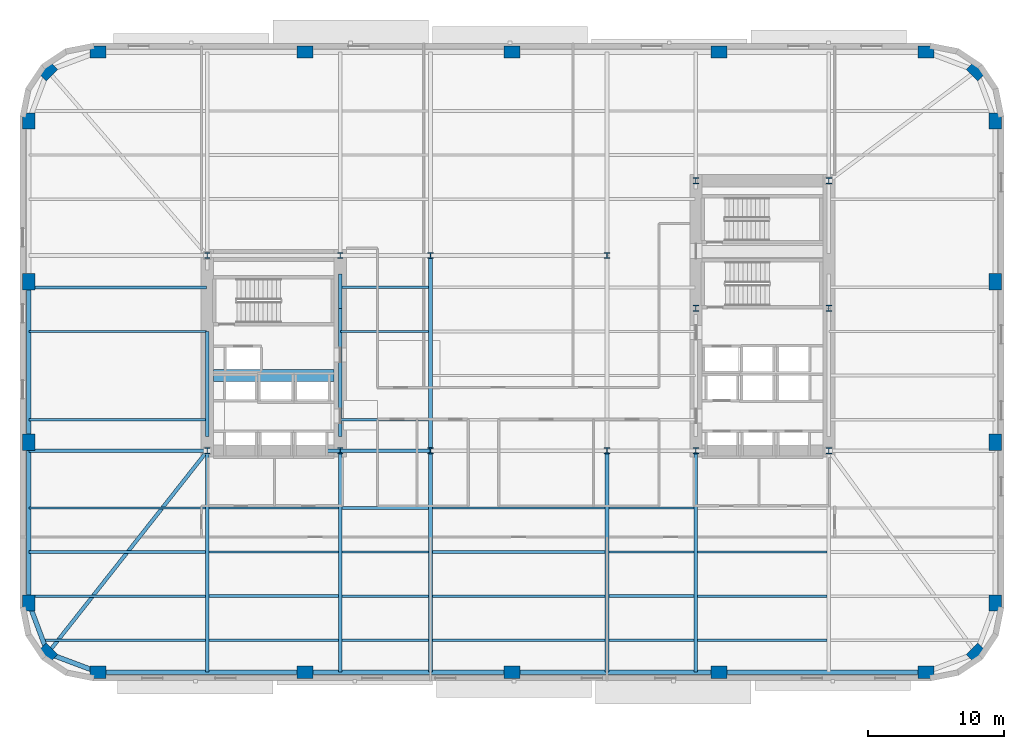
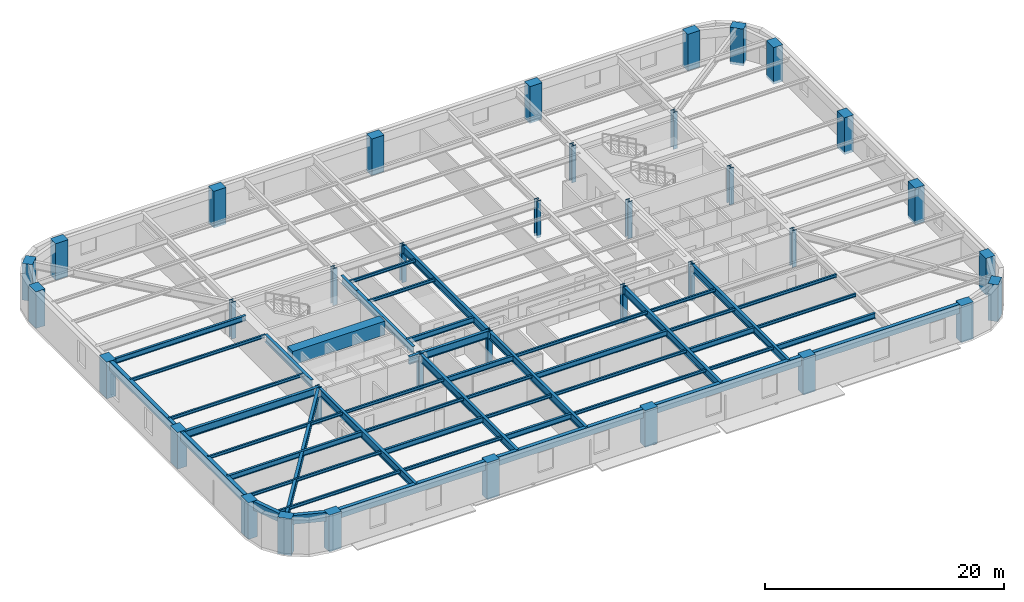
# One storey, part 1 of 14: 50 beams, 36 columns.
"""IFC4 building model written with IfcOpenShell, lengths in metres."""

from ifc_helpers import new_model, si_unit, direction, frame, origin, origin_2d, place, context, subcontext, project, spatial, rectangle, hollow_rectangle, i_section, extrude, material, material_profile, profile_set, type_object, element, save


model = new_model("IFC4")

# Units and contexts
model_context = context("Model", 3, precision=1e-05, world=origin(), true_north=direction((0.0, 1.0)))
body_context = subcontext(model_context, "Body", "Model", "MODEL_VIEW")
ifc_project = project(units=[si_unit("LENGTHUNIT", "METRE"), si_unit("AREAUNIT", "SQUARE_METRE"), si_unit("VOLUMEUNIT", "CUBIC_METRE"), si_unit("PLANEANGLEUNIT", "RADIAN"), si_unit("MASSUNIT", "GRAM", prefix="KILO")], contexts=[model_context])

# Site, building, storey
site_placement = place(None, origin())
site = spatial("IfcSite", under=ifc_project, at=site_placement, CompositionType="ELEMENT")
building_placement = place(site_placement, origin())
building = spatial("IfcBuilding", under=site, at=building_placement, Name="Kolvaren Arena Tower", CompositionType="ELEMENT")
storey_placement = place(building_placement, frame((0.0, 0.0, 79.5)))
storey = spatial("IfcBuildingStorey", under=building, at=storey_placement, Name="L17", CompositionType="ELEMENT", Elevation=79.5)

# Columns
ifc_material_1 = material(Name="Precast concrete C70/85", Category="concrete")
ifc_material_profile_1 = material_profile(ifc_material_1, rectangle(XDim=1.199951171875, YDim=0.89990234375, at=origin_2d()), Name="RC-1200x900")
ifc_profile_set_1 = profile_set([ifc_material_profile_1], Name="Precast concrete C70/85")
column_type_1 = type_object("IfcColumnType", Name="EXCOL-Z1", PredefinedType="COLUMN", material=ifc_profile_set_1)
for number, where, z_axis, x_axis, name in (
    (1, (6.5, 3.14990234375, -0.27001953125), (0.0, 0.0, 1.0), (1.0, 0.0, 0.0), "Exoskeleton Perimeter Column 01 (L17)"),
    (2, (21.75, 3.14990234375, -0.27001953125), (0.0, 0.0, 1.0), (1.0, 0.0, 0.0), "Exoskeleton Perimeter Column 02 (L17)"),
    (3, (37.0, 3.14990234375, -0.27001953125), (0.0, 0.0, 1.0), (1.0, 0.0, 0.0), "Exoskeleton Perimeter Column 03 (L17)"),
    (4, (52.25, 3.14990234375, -0.27001953125), (0.0, 0.0, 1.0), (1.0, 0.0, 0.0), "Exoskeleton Perimeter Column 04 (L17)"),
    (5, (67.5, 3.14990234375, -0.27001953125), (0.0, 0.0, 1.0), (1.0, 0.0, 0.0), "Exoskeleton Perimeter Column 05 (L17)"),
    (6, (71.208740234375, 4.541259765625, -0.27001953125), (0.0, 0.0, 1.0), (0.707106781187, 0.707106781187, 0.0), "Exoskeleton Perimeter Column 06 (L17)"),
    (7, (72.60009765625, 8.25, -0.27001953125), (0.0, 0.0, 1.0), (0.0, 1.0, 0.0), "Exoskeleton Perimeter Column 07 (L17)"),
    (8, (72.60009765625, 20.083251953125, -0.27001953125), (0.0, 0.0, 1.0), (0.0, 1.0, 0.0), "Exoskeleton Perimeter Column 08 (L17)"),
    (9, (72.60009765625, 31.916748046875, -0.27001953125), (0.0, 0.0, 1.0), (0.0, 1.0, 0.0), "Exoskeleton Perimeter Column 09 (L17)"),
    (10, (72.60009765625, 43.75, -0.27001953125), (0.0, 0.0, 1.0), (0.0, 1.0, 0.0), "Exoskeleton Perimeter Column 10 (L17)"),
    (11, (71.208740234375, 47.458740234375, -0.27001953125), (0.0, 0.0, 1.0), (-0.707106781187, 0.707106781187, 0.0), "Exoskeleton Perimeter Column 11 (L17)"),
    (12, (67.5, 48.85009765625, -0.27001953125), (0.0, 0.0, 1.0), (1.0, 0.0, 0.0), "Exoskeleton Perimeter Column 12 (L17)"),
    (13, (52.25, 48.85009765625, -0.27001953125), (0.0, 0.0, 1.0), (1.0, 0.0, 0.0), "Exoskeleton Perimeter Column 13 (L17)"),
    (14, (37.0, 48.85009765625, -0.27001953125), (0.0, 0.0, 1.0), (1.0, 0.0, 0.0), "Exoskeleton Perimeter Column 14 (L17)"),
    (15, (21.75, 48.85009765625, -0.27001953125), (0.0, 0.0, 1.0), (1.0, 0.0, 0.0), "Exoskeleton Perimeter Column 15 (L17)"),
    (16, (6.5, 48.85009765625, -0.27001953125), (0.0, 0.0, 1.0), (1.0, 0.0, 0.0), "Exoskeleton Perimeter Column 16 (L17)"),
    (17, (2.791259765625, 47.458740234375, -0.27001953125), (0.0, 0.0, 1.0), (0.707106781187, 0.707106781187, 0.0), "Exoskeleton Perimeter Column 17 (L17)"),
    (18, (1.39990234375, 43.75, -0.27001953125), (0.0, 0.0, 1.0), (0.0, 1.0, 0.0), "Exoskeleton Perimeter Column 18 (L17)"),
    (19, (1.39990234375, 31.916748046875, -0.27001953125), (0.0, 0.0, 1.0), (0.0, 1.0, 0.0), "Exoskeleton Perimeter Column 19 (L17)"),
    (20, (1.39990234375, 20.083251953125, -0.27001953125), (0.0, 0.0, 1.0), (0.0, 1.0, 0.0), "Exoskeleton Perimeter Column 20 (L17)"),
    (21, (1.39990234375, 8.25, -0.27001953125), (0.0, 0.0, 1.0), (0.0, 1.0, 0.0), "Exoskeleton Perimeter Column 21 (L17)"),
    (22, (2.791259765625, 4.541259765625, -0.27001953125), (0.0, 0.0, 1.0), (-0.707106781187, 0.707106781187, 0.0), "Exoskeleton Perimeter Column 22 (L17)"),
):
    element("IfcColumn", number, at=place(storey_placement, frame(where, z_axis=z_axis, x_axis=x_axis)), inside=storey, type_object=column_type_1, Name=name, PredefinedType="COLUMN", context=body_context, shape_type="SweptSolid", body=[
        extrude(rectangle(XDim=1.199951171875, YDim=0.89990234375, at=origin_2d()), origin(), (0.0, 0.0, 1.0), 3.75),
    ])
ifc_material_2 = material(Name="Steel ASTM A913 Grade 65", Category="steel")
ifc_material_profile_2 = material_profile(ifc_material_2, i_section(OverallWidth=0.424072265625, OverallDepth=0.47412109375, WebThickness=0.047607421875, FlangeThickness=0.076904296875, FilletRadius=0.02001953125, at=origin_2d()), Name="W360x634")
ifc_profile_set_2 = profile_set([ifc_material_profile_2], Name="Steel ASTM A913 Grade 65")
column_type_2 = type_object("IfcColumnType", Name="SCOL-Z1", PredefinedType="COLUMN", material=ifc_profile_set_2)
for number, where, z_axis, x_axis, name in (
    (23, (14.550048828125, 19.449951171875, -0.27001953125), (0.0, 0.0, 1.0), (1.0, 0.0, 0.0), "Core Boundary Column WC-SW (L17)"),
    (24, (24.35009765625, 19.449951171875, -0.27001953125), (0.0, 0.0, 1.0), (1.0, 0.0, 0.0), "Core Boundary Column WC-SE (L17)"),
    (25, (14.550048828125, 33.85009765625, -0.27001953125), (0.0, 0.0, 1.0), (1.0, 0.0, 0.0), "Core Boundary Column WC-NW (L17)"),
    (26, (24.35009765625, 33.85009765625, -0.27001953125), (0.0, 0.0, 1.0), (1.0, 0.0, 0.0), "Core Boundary Column WC-NE (L17)"),
    (27, (50.550048828125, 19.449951171875, -0.27001953125), (0.0, 0.0, 1.0), (1.0, 0.0, 0.0), "Core Boundary Column EC-SW (L17)"),
    (28, (60.35009765625, 19.449951171875, -0.27001953125), (0.0, 0.0, 1.0), (1.0, 0.0, 0.0), "Core Boundary Column EC-SE (L17)"),
    (29, (50.550048828125, 29.949951171875, -0.27001953125), (0.0, 0.0, 1.0), (1.0, 0.0, 0.0), "Core Boundary Column EC-MW (L17)"),
    (30, (60.35009765625, 29.949951171875, -0.27001953125), (0.0, 0.0, 1.0), (1.0, 0.0, 0.0), "Core Boundary Column EC-ME (L17)"),
    (31, (50.550048828125, 39.35009765625, -0.27001953125), (0.0, 0.0, 1.0), (1.0, 0.0, 0.0), "Core Boundary Column EC-NW (L17)"),
    (32, (60.35009765625, 39.35009765625, -0.27001953125), (0.0, 0.0, 1.0), (1.0, 0.0, 0.0), "Core Boundary Column EC-NE (L17)"),
    (33, (31.0, 19.449951171875, -0.27001953125), (0.0, 0.0, 1.0), (1.0, 0.0, 0.0), "Interior Gravity Column TC-SW (L17)"),
    (34, (44.0, 19.449951171875, -0.27001953125), (0.0, 0.0, 1.0), (1.0, 0.0, 0.0), "Interior Gravity Column TC-SE (L17)"),
    (35, (31.0, 33.85009765625, -0.27001953125), (0.0, 0.0, 1.0), (1.0, 0.0, 0.0), "Interior Gravity Column TC-NW (L17)"),
    (36, (44.0, 33.85009765625, -0.27001953125), (0.0, 0.0, 1.0), (1.0, 0.0, 0.0), "Interior Gravity Column TC-NE (L17)"),
):
    element("IfcColumn", number, at=place(storey_placement, frame(where, z_axis=z_axis, x_axis=x_axis)), inside=storey, type_object=column_type_2, Name=name, PredefinedType="COLUMN", context=body_context, shape_type="SweptSolid", body=[
        extrude(i_section(OverallWidth=0.424072265625, OverallDepth=0.47412109375, WebThickness=0.047607421875, FlangeThickness=0.076904296875, FilletRadius=0.02001953125, at=origin_2d()), origin(), (0.0, 0.0, 1.0), 3.75),
    ])

# Beams
ifc_material_3 = material(Name="Steel CSA G40.21 350W", Category="steel")
ifc_material_profile_3 = material_profile(ifc_material_3, i_section(OverallWidth=0.2119140625, OverallDepth=0.54296875, WebThickness=0.01318359375, FlangeThickness=0.0244140625, FilletRadius=0.013916015625, at=origin_2d()), Name="W530x150")
ifc_profile_set_3 = profile_set([ifc_material_profile_3], Name="Steel CSA G40.21 350W")
beam_type_1 = type_object("IfcBeamType", Name="BEAM-F1", PredefinedType="BEAM", material=ifc_profile_set_3)
beam_1_placement = place(storey_placement, frame((24.485107421875, 5.5, 3.20849609375), z_axis=(1.0, 0.0, 0.0), x_axis=(0.0, 1.0, 0.0)))
element("IfcBeam", 37, at=beam_1_placement, inside=storey, type_object=beam_type_1, Name="Composite Floor Beam (L17)", PredefinedType="BEAM", context=body_context, shape_type="SweptSolid", body=[
    extrude(i_section(OverallWidth=0.2119140625, OverallDepth=0.54296875, WebThickness=0.01318359375, FlangeThickness=0.0244140625, FilletRadius=0.013916015625, at=origin_2d()), origin(), (0.0, 0.0, 1.0), 6.3798828125),
])
for number, where, z_axis, x_axis, name in (
    (38, (50.68505859375, 5.5, 3.20849609375), (1.0, 0.0, 0.0), (0.0, 1.0, 0.0), "Composite Floor Beam (L17)"),
    (39, (14.68505859375, 8.75, 3.20849609375), (1.0, 0.0, 0.0), (0.0, 1.0, 0.0), "Composite Floor Beam (L17)"),
):
    element("IfcBeam", number, at=place(storey_placement, frame(where, z_axis=z_axis, x_axis=x_axis)), inside=storey, type_object=beam_type_1, Name=name, PredefinedType="BEAM", context=body_context, shape_type="SweptSolid", body=[
        extrude(i_section(OverallWidth=0.2119140625, OverallDepth=0.54296875, WebThickness=0.01318359375, FlangeThickness=0.0244140625, FilletRadius=0.013916015625, at=origin_2d()), origin(), (0.0, 0.0, 1.0), 9.530029296875),
    ])
beam_2_placement = place(storey_placement, frame((44.135009765625, 8.75, 3.20849609375), z_axis=(1.0, 0.0, 0.0), x_axis=(0.0, 1.0, 0.0)))
element("IfcBeam", 40, at=beam_2_placement, inside=storey, type_object=beam_type_1, Name="Composite Floor Beam (L17)", PredefinedType="BEAM", context=body_context, shape_type="SweptSolid", body=[
    extrude(i_section(OverallWidth=0.2119140625, OverallDepth=0.54296875, WebThickness=0.01318359375, FlangeThickness=0.0244140625, FilletRadius=0.013916015625, at=origin_2d()), origin(), (0.0, 0.0, 1.0), 6.280029296875),
])
beam_3_placement = place(storey_placement, frame((1.39990234375, 12.0, 3.20849609375), z_axis=(1.0, 0.0, 0.0), x_axis=(0.0, 1.0, 0.0)))
element("IfcBeam", 41, at=beam_3_placement, inside=storey, type_object=beam_type_1, Name="Composite Floor Beam (L17)", PredefinedType="BEAM", context=body_context, shape_type="SweptSolid", body=[
    extrude(i_section(OverallWidth=0.2119140625, OverallDepth=0.54296875, WebThickness=0.01318359375, FlangeThickness=0.0244140625, FilletRadius=0.013916015625, at=origin_2d()), origin(), (0.0, 0.0, 1.0), 13.01513671875),
])
beam_4_placement = place(storey_placement, frame((31.135009765625, 12.0, 3.20849609375), z_axis=(1.0, 0.0, 0.0), x_axis=(0.0, 1.0, 0.0)))
element("IfcBeam", 42, at=beam_4_placement, inside=storey, type_object=beam_type_1, Name="Composite Floor Beam (L17)", PredefinedType="BEAM", context=body_context, shape_type="SweptSolid", body=[
    extrude(i_section(OverallWidth=0.2119140625, OverallDepth=0.54296875, WebThickness=0.01318359375, FlangeThickness=0.0244140625, FilletRadius=0.013916015625, at=origin_2d()), origin(), (0.0, 0.0, 1.0), 12.72998046875),
])
beam_5_placement = place(storey_placement, frame((24.485107421875, 15.25, 3.20849609375), z_axis=(1.0, 0.0, 0.0), x_axis=(0.0, 1.0, 0.0)))
element("IfcBeam", 43, at=beam_5_placement, inside=storey, type_object=beam_type_1, Name="Composite Floor Beam (L17)", PredefinedType="BEAM", context=body_context, shape_type="SweptSolid", body=[
    extrude(i_section(OverallWidth=0.2119140625, OverallDepth=0.54296875, WebThickness=0.01318359375, FlangeThickness=0.0244140625, FilletRadius=0.013916015625, at=origin_2d()), origin(), (0.0, 0.0, 1.0), 6.3798828125),
])
beam_6_placement = place(storey_placement, frame((24.3701171875, 21.75, 3.20849609375), z_axis=(1.0, 0.0, 0.0), x_axis=(0.0, 1.0, 0.0)))
element("IfcBeam", 44, at=beam_6_placement, inside=storey, type_object=beam_type_1, Name="Composite Floor Beam (L17)", PredefinedType="BEAM", context=body_context, shape_type="SweptSolid", body=[
    extrude(i_section(OverallWidth=0.2119140625, OverallDepth=0.54296875, WebThickness=0.01318359375, FlangeThickness=0.0244140625, FilletRadius=0.013916015625, at=origin_2d()), origin(), (0.0, 0.0, 1.0), 6.494873046875),
])
beam_7_placement = place(storey_placement, frame((1.39990234375, 31.5, 3.20849609375), z_axis=(1.0, 0.0, 0.0), x_axis=(0.0, 1.0, 0.0)))
element("IfcBeam", 45, at=beam_7_placement, inside=storey, type_object=beam_type_1, Name="Composite Floor Beam (L17)", PredefinedType="BEAM", context=body_context, shape_type="SweptSolid", body=[
    extrude(i_section(OverallWidth=0.2119140625, OverallDepth=0.54296875, WebThickness=0.01318359375, FlangeThickness=0.0244140625, FilletRadius=0.013916015625, at=origin_2d()), origin(), (0.0, 0.0, 1.0), 13.080078125),
])
ifc_material_4 = material(Name="Concrete 75 MPa", Category="concrete")
ifc_material_profile_4 = material_profile(ifc_material_4, rectangle(XDim=0.89990234375, YDim=1.39990234375, at=origin_2d()), Name="RC-900x1400")
ifc_profile_set_4 = profile_set([ifc_material_profile_4], Name="Concrete 75 MPa")
beam_type_2 = type_object("IfcBeamType", Name="CB-CORE-1", PredefinedType="BEAM", material=ifc_profile_set_4)
beam_8_placement = place(storey_placement, frame((15.0, 25.0, 3.050048828125), z_axis=(1.0, 0.0, 0.0), x_axis=(0.0, 1.0, 0.0)))
element("IfcBeam", 46, at=beam_8_placement, inside=storey, type_object=beam_type_2, Name="West Core Coupling Beam (L17)", PredefinedType="BEAM", context=body_context, shape_type="SweptSolid", body=[
    extrude(rectangle(XDim=0.89990234375, YDim=1.39990234375, at=origin_2d()), origin(), (0.0, 0.0, 1.0), 8.89990234375),
])
ifc_material_profile_5 = material_profile(ifc_material_3, i_section(OverallWidth=0.27001953125, OverallDepth=0.77294921875, WebThickness=0.019287109375, FlangeThickness=0.033447265625, FilletRadius=0.01806640625, at=origin_2d()), Name="W760x257")
ifc_profile_set_5 = profile_set([ifc_material_profile_5], Name="Steel CSA G40.21 350W")
beam_type_3 = type_object("IfcBeamType", Name="GIRD-T1", PredefinedType="BEAM", material=ifc_profile_set_5)
beam_9_placement = place(storey_placement, frame((2.791259765625, 4.541259765625, 3.093505859375), z_axis=(0.61927986086, 0.785170334343, 0.0), x_axis=(-0.785170334343, 0.61927986086, 0.0)))
element("IfcBeam", 47, at=beam_9_placement, inside=storey, type_object=beam_type_3, Name="Corner Diagonal Tie Girder (L17)", PredefinedType="BEAM", context=body_context, shape_type="SweptSolid", body=[
    extrude(i_section(OverallWidth=0.27001953125, OverallDepth=0.77294921875, WebThickness=0.019287109375, FlangeThickness=0.033447265625, FilletRadius=0.01806640625, at=origin_2d()), origin(), (0.0, 0.0, 1.0), 18.98779296875),
])
beam_10_placement = place(storey_placement, frame((1.39990234375, 19.449951171875, 3.093505859375), z_axis=(1.0, 0.0, 0.0), x_axis=(0.0, 1.0, 0.0)))
element("IfcBeam", 48, at=beam_10_placement, inside=storey, type_object=beam_type_3, Name="Primary Floor Girder (L17)", PredefinedType="BEAM", context=body_context, shape_type="SweptSolid", body=[
    extrude(i_section(OverallWidth=0.27001953125, OverallDepth=0.77294921875, WebThickness=0.019287109375, FlangeThickness=0.033447265625, FilletRadius=0.01806640625, at=origin_2d()), origin(), (0.0, 0.0, 1.0), 13.150146484375),
])
beam_11_placement = place(storey_placement, frame((23.2451171875, 19.449951171875, 3.093505859375), z_axis=(1.0, 0.0, 0.0), x_axis=(0.0, 1.0, 0.0)))
element("IfcBeam", 49, at=beam_11_placement, inside=storey, type_object=beam_type_3, Name="Primary Floor Girder (L17)", PredefinedType="BEAM", context=body_context, shape_type="SweptSolid", body=[
    extrude(i_section(OverallWidth=0.27001953125, OverallDepth=0.77294921875, WebThickness=0.019287109375, FlangeThickness=0.033447265625, FilletRadius=0.01806640625, at=origin_2d()), origin(), (0.0, 0.0, 1.0), 7.7548828125),
])
beam_12_placement = place(storey_placement, frame((14.550048828125, 3.14990234375, 3.093505859375), z_axis=(0.0, 1.0, 0.0), x_axis=(-1.0, 0.0, 0.0)))
element("IfcBeam", 50, at=beam_12_placement, inside=storey, type_object=beam_type_3, Name="Primary Floor Girder (L17)", PredefinedType="BEAM", context=body_context, shape_type="SweptSolid", body=[
    extrude(i_section(OverallWidth=0.27001953125, OverallDepth=0.77294921875, WebThickness=0.019287109375, FlangeThickness=0.033447265625, FilletRadius=0.01806640625, at=origin_2d()), origin(), (0.0, 0.0, 1.0), 16.300048828125),
])
beam_13_placement = place(storey_placement, frame((14.550048828125, 20.5, 3.093505859375), z_axis=(0.0, 1.0, 0.0), x_axis=(-1.0, 0.0, 0.0)))
element("IfcBeam", 51, at=beam_13_placement, inside=storey, type_object=beam_type_3, Name="Primary Floor Girder (L17)", PredefinedType="BEAM", context=body_context, shape_type="SweptSolid", body=[
    extrude(i_section(OverallWidth=0.27001953125, OverallDepth=0.77294921875, WebThickness=0.019287109375, FlangeThickness=0.033447265625, FilletRadius=0.01806640625, at=origin_2d()), origin(), (0.0, 0.0, 1.0), 7.739990234375),
])
beam_14_placement = place(storey_placement, frame((24.35009765625, 3.14990234375, 3.093505859375), z_axis=(0.0, 1.0, 0.0), x_axis=(-1.0, 0.0, 0.0)))
element("IfcBeam", 52, at=beam_14_placement, inside=storey, type_object=beam_type_3, Name="Primary Floor Girder (L17)", PredefinedType="BEAM", context=body_context, shape_type="SweptSolid", body=[
    extrude(i_section(OverallWidth=0.27001953125, OverallDepth=0.77294921875, WebThickness=0.019287109375, FlangeThickness=0.033447265625, FilletRadius=0.01806640625, at=origin_2d()), origin(), (0.0, 0.0, 1.0), 16.300048828125),
])
beam_15_placement = place(storey_placement, frame((24.35009765625, 20.5, 3.093505859375), z_axis=(0.0, 1.0, 0.0), x_axis=(-1.0, 0.0, 0.0)))
element("IfcBeam", 53, at=beam_15_placement, inside=storey, type_object=beam_type_3, Name="Primary Floor Girder (L17)", PredefinedType="BEAM", context=body_context, shape_type="SweptSolid", body=[
    extrude(i_section(OverallWidth=0.27001953125, OverallDepth=0.77294921875, WebThickness=0.019287109375, FlangeThickness=0.033447265625, FilletRadius=0.01806640625, at=origin_2d()), origin(), (0.0, 0.0, 1.0), 9.449951171875),
])
beam_16_placement = place(storey_placement, frame((24.35009765625, 29.949951171875, 3.093505859375), z_axis=(0.0, 1.0, 0.0), x_axis=(-1.0, 0.0, 0.0)))
element("IfcBeam", 54, at=beam_16_placement, inside=storey, type_object=beam_type_3, Name="Primary Floor Girder (L17)", PredefinedType="BEAM", context=body_context, shape_type="SweptSolid", body=[
    extrude(i_section(OverallWidth=0.27001953125, OverallDepth=0.77294921875, WebThickness=0.019287109375, FlangeThickness=0.033447265625, FilletRadius=0.01806640625, at=origin_2d()), origin(), (0.0, 0.0, 1.0), 2.550048828125),
])
beam_17_placement = place(storey_placement, frame((31.0, 3.14990234375, 3.093505859375), z_axis=(0.0, 1.0, 0.0), x_axis=(-1.0, 0.0, 0.0)))
element("IfcBeam", 55, at=beam_17_placement, inside=storey, type_object=beam_type_3, Name="Primary Floor Girder (L17)", PredefinedType="BEAM", context=body_context, shape_type="SweptSolid", body=[
    extrude(i_section(OverallWidth=0.27001953125, OverallDepth=0.77294921875, WebThickness=0.019287109375, FlangeThickness=0.033447265625, FilletRadius=0.01806640625, at=origin_2d()), origin(), (0.0, 0.0, 1.0), 16.300048828125),
])
beam_18_placement = place(storey_placement, frame((31.0, 19.449951171875, 3.093505859375), z_axis=(0.0, 1.0, 0.0), x_axis=(-1.0, 0.0, 0.0)))
element("IfcBeam", 56, at=beam_18_placement, inside=storey, type_object=beam_type_3, Name="Primary Floor Girder (L17)", PredefinedType="BEAM", context=body_context, shape_type="SweptSolid", body=[
    extrude(i_section(OverallWidth=0.27001953125, OverallDepth=0.77294921875, WebThickness=0.019287109375, FlangeThickness=0.033447265625, FilletRadius=0.01806640625, at=origin_2d()), origin(), (0.0, 0.0, 1.0), 14.400146484375),
])
for number, where, z_axis, x_axis, name in (
    (57, (44.0, 3.14990234375, 3.093505859375), (0.0, 1.0, 0.0), (-1.0, 0.0, 0.0), "Primary Floor Girder (L17)"),
    (58, (50.550048828125, 3.14990234375, 3.093505859375), (0.0, 1.0, 0.0), (-1.0, 0.0, 0.0), "Primary Floor Girder (L17)"),
):
    element("IfcBeam", number, at=place(storey_placement, frame(where, z_axis=z_axis, x_axis=x_axis)), inside=storey, type_object=beam_type_3, Name=name, PredefinedType="BEAM", context=body_context, shape_type="SweptSolid", body=[
        extrude(i_section(OverallWidth=0.27001953125, OverallDepth=0.77294921875, WebThickness=0.019287109375, FlangeThickness=0.033447265625, FilletRadius=0.01806640625, at=origin_2d()), origin(), (0.0, 0.0, 1.0), 16.300048828125),
    ])
ifc_material_profile_6 = material_profile(ifc_material_3, i_section(OverallWidth=0.1669921875, OverallDepth=0.31689453125, WebThickness=0.007568359375, FlangeThickness=0.01318359375, FilletRadius=0.010009765625, at=origin_2d()), Name="W310x52")
ifc_profile_set_6 = profile_set([ifc_material_profile_6], Name="Steel CSA G40.21 350W")
beam_type_4 = type_object("IfcBeamType", Name="JOIST-02", PredefinedType="JOIST", material=ifc_profile_set_6)
beam_19_placement = place(storey_placement, frame((2.431396484375, 5.5, 3.321533203125), z_axis=(1.0, 0.0, 0.0), x_axis=(0.0, 1.0, 0.0)))
element("IfcBeam", 59, at=beam_19_placement, inside=storey, type_object=beam_type_4, Name="Composite Floor Joist (L17)", PredefinedType="JOIST", context=body_context, shape_type="SweptSolid", body=[
    extrude(i_section(OverallWidth=0.1669921875, OverallDepth=0.31689453125, WebThickness=0.007568359375, FlangeThickness=0.01318359375, FilletRadius=0.010009765625, at=origin_2d()), origin(), (0.0, 0.0, 1.0), 11.983642578125),
])
beam_20_placement = place(storey_placement, frame((14.68505859375, 5.5, 3.321533203125), z_axis=(1.0, 0.0, 0.0), x_axis=(0.0, 1.0, 0.0)))
element("IfcBeam", 60, at=beam_20_placement, inside=storey, type_object=beam_type_4, Name="Composite Floor Joist (L17)", PredefinedType="JOIST", context=body_context, shape_type="SweptSolid", body=[
    extrude(i_section(OverallWidth=0.1669921875, OverallDepth=0.31689453125, WebThickness=0.007568359375, FlangeThickness=0.01318359375, FilletRadius=0.010009765625, at=origin_2d()), origin(), (0.0, 0.0, 1.0), 9.530029296875),
])
beam_21_placement = place(storey_placement, frame((31.135009765625, 5.5, 3.321533203125), z_axis=(1.0, 0.0, 0.0), x_axis=(0.0, 1.0, 0.0)))
element("IfcBeam", 61, at=beam_21_placement, inside=storey, type_object=beam_type_4, Name="Composite Floor Joist (L17)", PredefinedType="JOIST", context=body_context, shape_type="SweptSolid", body=[
    extrude(i_section(OverallWidth=0.1669921875, OverallDepth=0.31689453125, WebThickness=0.007568359375, FlangeThickness=0.01318359375, FilletRadius=0.010009765625, at=origin_2d()), origin(), (0.0, 0.0, 1.0), 12.72998046875),
])
beam_22_placement = place(storey_placement, frame((44.135009765625, 5.5, 3.321533203125), z_axis=(1.0, 0.0, 0.0), x_axis=(0.0, 1.0, 0.0)))
element("IfcBeam", 62, at=beam_22_placement, inside=storey, type_object=beam_type_4, Name="Composite Floor Joist (L17)", PredefinedType="JOIST", context=body_context, shape_type="SweptSolid", body=[
    extrude(i_section(OverallWidth=0.1669921875, OverallDepth=0.31689453125, WebThickness=0.007568359375, FlangeThickness=0.01318359375, FilletRadius=0.010009765625, at=origin_2d()), origin(), (0.0, 0.0, 1.0), 6.280029296875),
])
beam_23_placement = place(storey_placement, frame((1.39990234375, 8.75, 3.321533203125), z_axis=(1.0, 0.0, 0.0), x_axis=(0.0, 1.0, 0.0)))
element("IfcBeam", 63, at=beam_23_placement, inside=storey, type_object=beam_type_4, Name="Composite Floor Joist (L17)", PredefinedType="JOIST", context=body_context, shape_type="SweptSolid", body=[
    extrude(i_section(OverallWidth=0.1669921875, OverallDepth=0.31689453125, WebThickness=0.007568359375, FlangeThickness=0.01318359375, FilletRadius=0.010009765625, at=origin_2d()), origin(), (0.0, 0.0, 1.0), 13.01513671875),
])
beam_24_placement = place(storey_placement, frame((24.485107421875, 8.75, 3.321533203125), z_axis=(1.0, 0.0, 0.0), x_axis=(0.0, 1.0, 0.0)))
element("IfcBeam", 64, at=beam_24_placement, inside=storey, type_object=beam_type_4, Name="Composite Floor Joist (L17)", PredefinedType="JOIST", context=body_context, shape_type="SweptSolid", body=[
    extrude(i_section(OverallWidth=0.1669921875, OverallDepth=0.31689453125, WebThickness=0.007568359375, FlangeThickness=0.01318359375, FilletRadius=0.010009765625, at=origin_2d()), origin(), (0.0, 0.0, 1.0), 6.3798828125),
])
beam_25_placement = place(storey_placement, frame((31.135009765625, 8.75, 3.321533203125), z_axis=(1.0, 0.0, 0.0), x_axis=(0.0, 1.0, 0.0)))
element("IfcBeam", 65, at=beam_25_placement, inside=storey, type_object=beam_type_4, Name="Composite Floor Joist (L17)", PredefinedType="JOIST", context=body_context, shape_type="SweptSolid", body=[
    extrude(i_section(OverallWidth=0.1669921875, OverallDepth=0.31689453125, WebThickness=0.007568359375, FlangeThickness=0.01318359375, FilletRadius=0.010009765625, at=origin_2d()), origin(), (0.0, 0.0, 1.0), 12.72998046875),
])
for number, where, z_axis, x_axis, name in (
    (66, (50.68505859375, 8.75, 3.321533203125), (1.0, 0.0, 0.0), (0.0, 1.0, 0.0), "Composite Floor Joist (L17)"),
    (67, (14.68505859375, 12.0, 3.321533203125), (1.0, 0.0, 0.0), (0.0, 1.0, 0.0), "Composite Floor Joist (L17)"),
):
    element("IfcBeam", number, at=place(storey_placement, frame(where, z_axis=z_axis, x_axis=x_axis)), inside=storey, type_object=beam_type_4, Name=name, PredefinedType="JOIST", context=body_context, shape_type="SweptSolid", body=[
        extrude(i_section(OverallWidth=0.1669921875, OverallDepth=0.31689453125, WebThickness=0.007568359375, FlangeThickness=0.01318359375, FilletRadius=0.010009765625, at=origin_2d()), origin(), (0.0, 0.0, 1.0), 9.530029296875),
    ])
beam_26_placement = place(storey_placement, frame((24.485107421875, 12.0, 3.321533203125), z_axis=(1.0, 0.0, 0.0), x_axis=(0.0, 1.0, 0.0)))
element("IfcBeam", 68, at=beam_26_placement, inside=storey, type_object=beam_type_4, Name="Composite Floor Joist (L17)", PredefinedType="JOIST", context=body_context, shape_type="SweptSolid", body=[
    extrude(i_section(OverallWidth=0.1669921875, OverallDepth=0.31689453125, WebThickness=0.007568359375, FlangeThickness=0.01318359375, FilletRadius=0.010009765625, at=origin_2d()), origin(), (0.0, 0.0, 1.0), 6.3798828125),
])
beam_27_placement = place(storey_placement, frame((44.135009765625, 12.0, 3.321533203125), z_axis=(1.0, 0.0, 0.0), x_axis=(0.0, 1.0, 0.0)))
element("IfcBeam", 69, at=beam_27_placement, inside=storey, type_object=beam_type_4, Name="Composite Floor Joist (L17)", PredefinedType="JOIST", context=body_context, shape_type="SweptSolid", body=[
    extrude(i_section(OverallWidth=0.1669921875, OverallDepth=0.31689453125, WebThickness=0.007568359375, FlangeThickness=0.01318359375, FilletRadius=0.010009765625, at=origin_2d()), origin(), (0.0, 0.0, 1.0), 6.280029296875),
])
beam_28_placement = place(storey_placement, frame((50.68505859375, 12.0, 3.321533203125), z_axis=(1.0, 0.0, 0.0), x_axis=(0.0, 1.0, 0.0)))
element("IfcBeam", 70, at=beam_28_placement, inside=storey, type_object=beam_type_4, Name="Composite Floor Joist (L17)", PredefinedType="JOIST", context=body_context, shape_type="SweptSolid", body=[
    extrude(i_section(OverallWidth=0.1669921875, OverallDepth=0.31689453125, WebThickness=0.007568359375, FlangeThickness=0.01318359375, FilletRadius=0.010009765625, at=origin_2d()), origin(), (0.0, 0.0, 1.0), 9.530029296875),
])
beam_29_placement = place(storey_placement, frame((1.39990234375, 15.25, 3.321533203125), z_axis=(1.0, 0.0, 0.0), x_axis=(0.0, 1.0, 0.0)))
element("IfcBeam", 71, at=beam_29_placement, inside=storey, type_object=beam_type_4, Name="Composite Floor Joist (L17)", PredefinedType="JOIST", context=body_context, shape_type="SweptSolid", body=[
    extrude(i_section(OverallWidth=0.1669921875, OverallDepth=0.31689453125, WebThickness=0.007568359375, FlangeThickness=0.01318359375, FilletRadius=0.010009765625, at=origin_2d()), origin(), (0.0, 0.0, 1.0), 13.01513671875),
])
beam_30_placement = place(storey_placement, frame((14.68505859375, 15.25, 3.321533203125), z_axis=(1.0, 0.0, 0.0), x_axis=(0.0, 1.0, 0.0)))
element("IfcBeam", 72, at=beam_30_placement, inside=storey, type_object=beam_type_4, Name="Composite Floor Joist (L17)", PredefinedType="JOIST", context=body_context, shape_type="SweptSolid", body=[
    extrude(i_section(OverallWidth=0.1669921875, OverallDepth=0.31689453125, WebThickness=0.007568359375, FlangeThickness=0.01318359375, FilletRadius=0.010009765625, at=origin_2d()), origin(), (0.0, 0.0, 1.0), 9.530029296875),
])
beam_31_placement = place(storey_placement, frame((31.135009765625, 15.25, 3.321533203125), z_axis=(1.0, 0.0, 0.0), x_axis=(0.0, 1.0, 0.0)))
element("IfcBeam", 73, at=beam_31_placement, inside=storey, type_object=beam_type_4, Name="Composite Floor Joist (L17)", PredefinedType="JOIST", context=body_context, shape_type="SweptSolid", body=[
    extrude(i_section(OverallWidth=0.1669921875, OverallDepth=0.31689453125, WebThickness=0.007568359375, FlangeThickness=0.01318359375, FilletRadius=0.010009765625, at=origin_2d()), origin(), (0.0, 0.0, 1.0), 12.72998046875),
])
beam_32_placement = place(storey_placement, frame((44.135009765625, 15.25, 3.321533203125), z_axis=(1.0, 0.0, 0.0), x_axis=(0.0, 1.0, 0.0)))
element("IfcBeam", 74, at=beam_32_placement, inside=storey, type_object=beam_type_4, Name="Composite Floor Joist (L17)", PredefinedType="JOIST", context=body_context, shape_type="SweptSolid", body=[
    extrude(i_section(OverallWidth=0.1669921875, OverallDepth=0.31689453125, WebThickness=0.007568359375, FlangeThickness=0.01318359375, FilletRadius=0.010009765625, at=origin_2d()), origin(), (0.0, 0.0, 1.0), 6.280029296875),
])
beam_33_placement = place(storey_placement, frame((1.39990234375, 21.75, 3.321533203125), z_axis=(1.0, 0.0, 0.0), x_axis=(0.0, 1.0, 0.0)))
element("IfcBeam", 75, at=beam_33_placement, inside=storey, type_object=beam_type_4, Name="Composite Floor Joist (L17)", PredefinedType="JOIST", context=body_context, shape_type="SweptSolid", body=[
    extrude(i_section(OverallWidth=0.1669921875, OverallDepth=0.31689453125, WebThickness=0.007568359375, FlangeThickness=0.01318359375, FilletRadius=0.010009765625, at=origin_2d()), origin(), (0.0, 0.0, 1.0), 13.130126953125),
])
beam_34_placement = place(storey_placement, frame((1.39990234375, 28.25, 3.321533203125), z_axis=(1.0, 0.0, 0.0), x_axis=(0.0, 1.0, 0.0)))
element("IfcBeam", 76, at=beam_34_placement, inside=storey, type_object=beam_type_4, Name="Composite Floor Joist (L17)", PredefinedType="JOIST", context=body_context, shape_type="SweptSolid", body=[
    extrude(i_section(OverallWidth=0.1669921875, OverallDepth=0.31689453125, WebThickness=0.007568359375, FlangeThickness=0.01318359375, FilletRadius=0.010009765625, at=origin_2d()), origin(), (0.0, 0.0, 1.0), 13.080078125),
])
for number, where, z_axis, x_axis, name in (
    (77, (24.3701171875, 28.25, 3.321533203125), (1.0, 0.0, 0.0), (0.0, 1.0, 0.0), "Composite Floor Joist (L17)"),
    (78, (24.3701171875, 31.5, 3.321533203125), (1.0, 0.0, 0.0), (0.0, 1.0, 0.0), "Composite Floor Joist (L17)"),
):
    element("IfcBeam", number, at=place(storey_placement, frame(where, z_axis=z_axis, x_axis=x_axis)), inside=storey, type_object=beam_type_4, Name=name, PredefinedType="JOIST", context=body_context, shape_type="SweptSolid", body=[
        extrude(i_section(OverallWidth=0.1669921875, OverallDepth=0.31689453125, WebThickness=0.007568359375, FlangeThickness=0.01318359375, FilletRadius=0.010009765625, at=origin_2d()), origin(), (0.0, 0.0, 1.0), 6.494873046875),
    ])
ifc_material_5 = material(Name="Steel CSA G40.21 350WT", Category="steel")
ifc_material_profile_7 = material_profile(ifc_material_5, hollow_rectangle(XDim=0.35009765625, YDim=0.89990234375, WallThickness=0.02001953125, at=origin_2d()), Name="HSS 900x350x20")
ifc_profile_set_7 = profile_set([ifc_material_profile_7], Name="Steel CSA G40.21 350WT")
beam_type_5 = type_object("IfcBeamType", Name="SPAND-01", PredefinedType="SPANDREL", material=ifc_profile_set_7)
for number, where, z_axis, x_axis, name in (
    (79, (6.5, 3.14990234375, 3.030029296875), (1.0, 0.0, 0.0), (0.0, 1.0, 0.0), "Perimeter Spandrel Beam (L17)"),
    (80, (21.75, 3.14990234375, 3.030029296875), (1.0, 0.0, 0.0), (0.0, 1.0, 0.0), "Perimeter Spandrel Beam (L17)"),
    (81, (37.0, 3.14990234375, 3.030029296875), (1.0, 0.0, 0.0), (0.0, 1.0, 0.0), "Perimeter Spandrel Beam (L17)"),
    (82, (52.25, 3.14990234375, 3.030029296875), (1.0, 0.0, 0.0), (0.0, 1.0, 0.0), "Perimeter Spandrel Beam (L17)"),
):
    element("IfcBeam", number, at=place(storey_placement, frame(where, z_axis=z_axis, x_axis=x_axis)), inside=storey, type_object=beam_type_5, Name=name, PredefinedType="SPANDREL", context=body_context, shape_type="SweptSolid", body=[
        extrude(hollow_rectangle(XDim=0.35009765625, YDim=0.89990234375, WallThickness=0.02001953125, at=origin_2d()), origin(), (0.0, 0.0, 1.0), 15.25),
    ])
beam_35_placement = place(storey_placement, frame((1.39990234375, 31.916748046875, 3.030029296875), z_axis=(0.0, -1.0, 0.0), x_axis=(1.0, 0.0, 0.0)))
element("IfcBeam", 83, at=beam_35_placement, inside=storey, type_object=beam_type_5, Name="Perimeter Spandrel Beam (L17)", PredefinedType="SPANDREL", context=body_context, shape_type="SweptSolid", body=[
    extrude(hollow_rectangle(XDim=0.35009765625, YDim=0.89990234375, WallThickness=0.02001953125, at=origin_2d()), origin(), (0.0, 0.0, 1.0), 11.83349609375),
])
beam_36_placement = place(storey_placement, frame((1.39990234375, 20.083251953125, 3.030029296875), z_axis=(0.0, -1.0, 0.0), x_axis=(1.0, 0.0, 0.0)))
element("IfcBeam", 84, at=beam_36_placement, inside=storey, type_object=beam_type_5, Name="Perimeter Spandrel Beam (L17)", PredefinedType="SPANDREL", context=body_context, shape_type="SweptSolid", body=[
    extrude(hollow_rectangle(XDim=0.35009765625, YDim=0.89990234375, WallThickness=0.02001953125, at=origin_2d()), origin(), (0.0, 0.0, 1.0), 11.833251953125),
])
for number, where, z_axis, x_axis, name in (
    (85, (1.39990234375, 8.25, 3.030029296875), (0.351251771955, -0.93628104365, 0.0), (0.93628104365, 0.351251771955, 0.0), "Perimeter Spandrel Beam (L17)"),
    (86, (2.791259765625, 4.541259765625, 3.030029296875), (0.93628104365, -0.351251771955, 0.0), (0.351251771955, 0.93628104365, 0.0), "Perimeter Spandrel Beam (L17)"),
):
    element("IfcBeam", number, at=place(storey_placement, frame(where, z_axis=z_axis, x_axis=x_axis)), inside=storey, type_object=beam_type_5, Name=name, PredefinedType="SPANDREL", context=body_context, shape_type="SweptSolid", body=[
        extrude(hollow_rectangle(XDim=0.35009765625, YDim=0.89990234375, WallThickness=0.02001953125, at=origin_2d()), origin(), (0.0, 0.0, 1.0), 3.961181640625),
    ])

save(model, "model.ifc")
